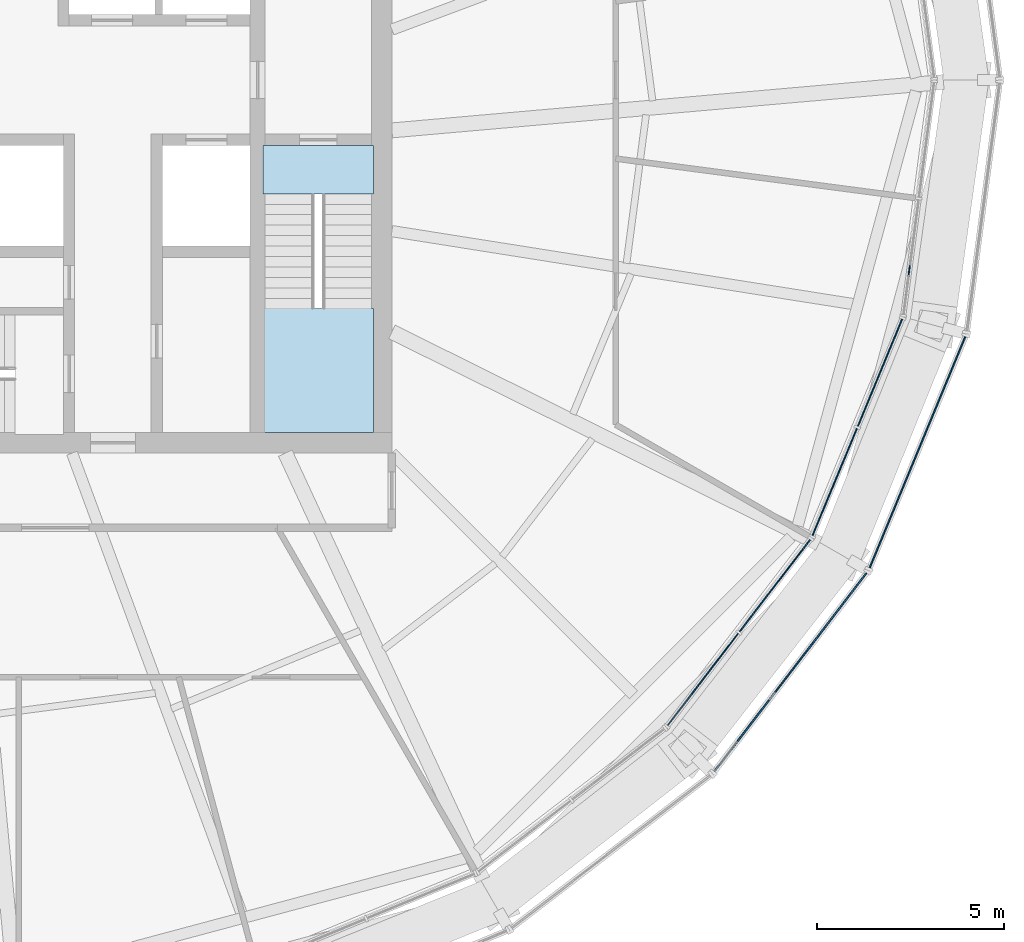
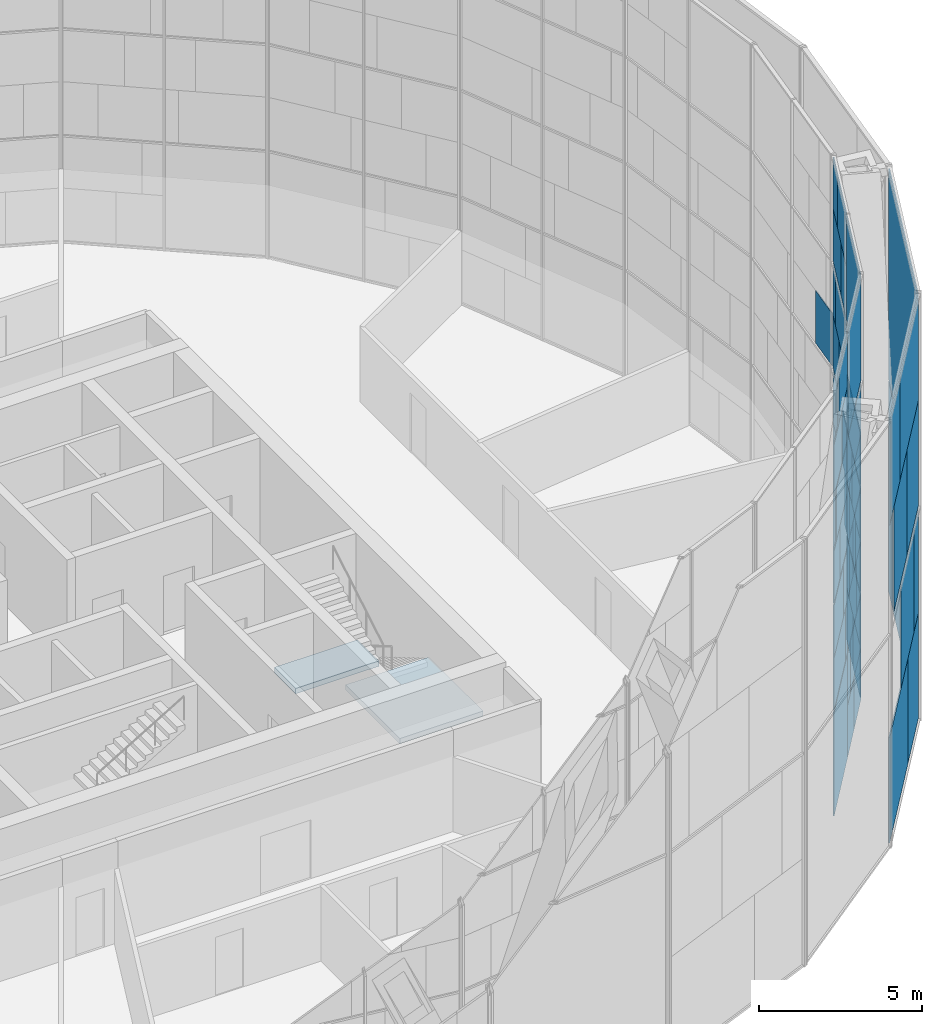
# One storey, part 19 of 29: 59 plates, 2 slabs, 6 elements without a shape of their own.
"""IFC4 building model written with IfcOpenShell, lengths in metres."""

from ifc_helpers import new_model, si_unit, direction, frame, origin, origin_2d, place, context, subcontext, project, spatial, polyline, rectangle, outline, extrude, material, layer, layer_set, type_object, element, aggregate, save


model = new_model("IFC4")

# Units and contexts
model_context = context("Model", 3, precision=1e-05, world=origin(), true_north=direction((0.0, 1.0)))
body_context = subcontext(model_context, "Body", "Model", "MODEL_VIEW")
ifc_project = project(units=[si_unit("LENGTHUNIT", "METRE"), si_unit("AREAUNIT", "SQUARE_METRE"), si_unit("VOLUMEUNIT", "CUBIC_METRE"), si_unit("PLANEANGLEUNIT", "RADIAN"), si_unit("MASSUNIT", "GRAM", prefix="KILO")], contexts=[model_context])

# Site, building, storey
site_placement = place(None, origin())
site = spatial("IfcSite", under=ifc_project, at=site_placement, CompositionType="ELEMENT")
building_placement = place(site_placement, origin())
building = spatial("IfcBuilding", under=site, at=building_placement, Name="Golbaran Civic Tower", CompositionType="ELEMENT")
storey_placement = place(building_placement, frame((0.0, 0.0, 118.0)))
storey = spatial("IfcBuildingStorey", under=building, at=storey_placement, Name="L28", CompositionType="ELEMENT", Elevation=118.0)

# Curtain wall, plates
ifc_material_1 = material(Name="Aluminium and glass", Category="aluminium")
curtain_wall_type_1 = type_object("IfcCurtainWallType", Name="INNER SKIN CURTAIN WALL", PredefinedType="NOTDEFINED", material=ifc_material_1)
curtain_wall_1_placement = place(storey_placement, origin())
curtain_wall_1 = element("IfcCurtainWall", 1, at=curtain_wall_1_placement, inside=storey, type_object=curtain_wall_type_1, Name="Inner skin L28 facet 22 CW1", ObjectType="INNER SKIN", PredefinedType="USERDEFINED")
ifc_material_2 = material(Name="Clear insulating glass", Category="glass")
ifc_layer_1 = layer(ifc_material_2, 0.031982421875, Name="Clear insulating glass")
ifc_layer_set_1 = layer_set([ifc_layer_1], Name="Clear insulating glass")
plate_type_1 = type_object("IfcPlateType", Name="INNER SKIN CURTAIN WALL GLAZED PANEL", PredefinedType="CURTAIN_PANEL", material=ifc_layer_set_1)
plate_1_placement = place(storey_placement, frame((18.332763671875, -16.06494140625, 0.06494140625), z_axis=(0.0, 0.0, 1.0), x_axis=(0.608761428898, 0.793353340376, 0.0)))
plate_1 = element("IfcPlate", 2, at=plate_1_placement, type_object=plate_type_1, Name="CW1 panel 1.1", PredefinedType="CURTAIN_PANEL", context=body_context, shape_type="SweptSolid", body=[
    extrude(rectangle(XDim=3.104736328125, YDim=0.031982421875, at=origin_2d()), origin(), (0.0, 0.0, 1.0), 3.902587890625),
])
plate_2_placement = place(storey_placement, frame((18.21044921875, -16.224365234375, 4.03271484375), z_axis=(0.0, 0.0, 1.0), x_axis=(0.608761428898, 0.793353340376, 0.0)))
plate_2 = element("IfcPlate", 3, at=plate_2_placement, type_object=plate_type_1, Name="CW1 panel 1.2 part 1", PredefinedType="CURTAIN_PANEL", context=body_context, shape_type="SweptSolid", body=[
    extrude(rectangle(XDim=2.702880859375, YDim=0.031982421875, at=origin_2d()), origin(), (0.0, 0.0, 1.0), 1.967529296875),
])
plate_3_placement = place(storey_placement, frame((18.047119140625, -16.4375, 6.0), z_axis=(0.0, 0.0, 1.0), x_axis=(0.608761428898, 0.793353340376, 0.0)))
plate_3 = element("IfcPlate", 4, at=plate_3_placement, type_object=plate_type_1, Name="CW1 panel 1.2 part 3", PredefinedType="CURTAIN_PANEL", context=body_context, shape_type="SweptSolid", body=[
    extrude(rectangle(XDim=2.166015625, YDim=0.031982421875, at=origin_2d()), origin(), (0.0, 0.0, 1.0), 1.967529296875),
])
plate_4_placement = place(storey_placement, frame((17.791015625, -16.77099609375, 8.03271484375), z_axis=(0.0, 0.0, 1.0), x_axis=(0.608761428898, 0.793353340376, 0.0)))
plate_4 = element("IfcPlate", 5, at=plate_4_placement, type_object=plate_type_1, Name="CW1 panel 1.3 part 1", PredefinedType="CURTAIN_PANEL", context=body_context, shape_type="SweptSolid", body=[
    extrude(rectangle(XDim=1.324951171875, YDim=0.031982421875, at=origin_2d()), origin(), (0.0, 0.0, 1.0), 1.967529296875),
])
plate_5_placement = place(storey_placement, frame((18.90283203125, -15.322021484375, 12.032470703125), z_axis=(0.0, 0.0, 1.0), x_axis=(0.608761428898, 0.793353340376, 0.0)))
plate_5 = element("IfcPlate", 6, at=plate_5_placement, type_object=plate_type_1, Name="CW1 panel 1.4 part 2", PredefinedType="CURTAIN_PANEL", context=body_context, shape_type="SweptSolid", body=[
    extrude(rectangle(XDim=1.23193359375, YDim=0.031982421875, at=origin_2d()), origin(), (0.0, 0.0, 1.0), 1.951171875),
])
plate_6_placement = place(storey_placement, frame((18.656982421875, -15.642578125, 13.98388671875), z_axis=(0.0, 0.0, 1.0), x_axis=(0.608761428898, 0.793353340376, 0.0)))
plate_6 = element("IfcPlate", 7, at=plate_6_placement, type_object=plate_type_1, Name="CW1 panel 1.4 part 4", PredefinedType="CURTAIN_PANEL", context=body_context, shape_type="SweptSolid", body=[
    extrude(rectangle(XDim=2.039794921875, YDim=0.031982421875, at=origin_2d()), origin(), (0.0, 0.0, 1.0), 1.951171875),
])
plate_7_placement = place(storey_placement, frame((19.761474609375, -14.203125, 0.06494140625), z_axis=(0.0, 0.0, 1.0), x_axis=(0.608761428898, 0.793353340376, 0.0)))
plate_7 = element("IfcPlate", 8, at=plate_7_placement, type_object=plate_type_1, Name="CW1 panel 2.1 part 1", PredefinedType="CURTAIN_PANEL", context=body_context, shape_type="SweptSolid", body=[
    extrude(rectangle(XDim=1.458984375, YDim=0.031982421875, at=origin_2d()), origin(), (0.0, 0.0, 1.0), 1.951171875),
])
plate_8_placement = place(storey_placement, frame((19.515625, -14.5234375, 2.016357421875), z_axis=(0.0, 0.0, 1.0), x_axis=(0.608761428898, 0.793353340376, 0.0)))
plate_8 = element("IfcPlate", 9, at=plate_8_placement, type_object=plate_type_1, Name="CW1 panel 2.1 part 3", PredefinedType="CURTAIN_PANEL", context=body_context, shape_type="SweptSolid", body=[
    extrude(rectangle(XDim=0.65087890625, YDim=0.031982421875, at=origin_2d()), origin(), (0.0, 0.0, 1.0), 1.951171875),
])
plate_9_placement = place(storey_placement, frame((20.87548828125, -12.751220703125, 4.03271484375), z_axis=(0.0, 0.0, 1.0), x_axis=(0.608761428898, 0.793353340376, 0.0)))
plate_9 = element("IfcPlate", 10, at=plate_9_placement, type_object=plate_type_1, Name="CW1 panel 2.2 part 2", PredefinedType="CURTAIN_PANEL", context=body_context, shape_type="SweptSolid", body=[
    extrude(rectangle(XDim=1.0908203125, YDim=0.031982421875, at=origin_2d()), origin(), (0.0, 0.0, 1.0), 1.967529296875),
])
plate_10_placement = place(storey_placement, frame((20.62744140625, -13.074462890625, 6.0), z_axis=(0.0, 0.0, 1.0), x_axis=(0.608761428898, 0.793353340376, 0.0)))
plate_10 = element("IfcPlate", 11, at=plate_10_placement, type_object=plate_type_1, Name="CW1 panel 2.2 part 4", PredefinedType="CURTAIN_PANEL", context=body_context, shape_type="SweptSolid", body=[
    extrude(rectangle(XDim=1.90576171875, YDim=0.031982421875, at=origin_2d()), origin(), (0.0, 0.0, 1.0), 1.967529296875),
])
plate_11_placement = place(storey_placement, frame((20.38427734375, -13.3916015625, 8.03271484375), z_axis=(0.0, 0.0, 1.0), x_axis=(0.608761428898, 0.793353340376, 0.0)))
plate_11 = element("IfcPlate", 12, at=plate_11_placement, type_object=plate_type_1, Name="CW1 panel 2.3 part 2", PredefinedType="CURTAIN_PANEL", context=body_context, shape_type="SweptSolid", body=[
    extrude(rectangle(XDim=2.704833984375, YDim=0.031982421875, at=origin_2d()), origin(), (0.0, 0.0, 1.0), 1.967529296875),
])
plate_12_placement = place(storey_placement, frame((20.262451171875, -13.55029296875, 10.0), z_axis=(0.0, 0.0, 1.0), x_axis=(0.608761428898, 0.793353340376, 0.0)))
plate_12 = element("IfcPlate", 13, at=plate_12_placement, type_object=plate_type_1, Name="CW1 panel 2.3 part 3", PredefinedType="CURTAIN_PANEL", context=body_context, shape_type="SweptSolid", body=[
    extrude(rectangle(XDim=3.104736328125, YDim=0.031982421875, at=origin_2d()), origin(), (0.0, 0.0, 1.0), 1.967529296875),
])
plate_13_placement = place(storey_placement, frame((20.262451171875, -13.55029296875, 12.0322265625), z_axis=(0.0, 0.0, 1.0), x_axis=(0.608761428898, 0.793353340376, 0.0)))
plate_13 = element("IfcPlate", 14, at=plate_13_placement, type_object=plate_type_1, Name="CW1 panel 2.4", PredefinedType="CURTAIN_PANEL", context=body_context, shape_type="SweptSolid", body=[
    extrude(rectangle(XDim=3.104736328125, YDim=0.031982421875, at=origin_2d()), origin(), (0.0, 0.0, 1.0), 3.902587890625),
])

curtain_wall_2_placement = place(storey_placement, origin())
curtain_wall_2 = element("IfcCurtainWall", 15, at=curtain_wall_2_placement, inside=storey, type_object=curtain_wall_type_1, Name="Inner skin L28 facet 23 CW1", ObjectType="INNER SKIN", PredefinedType="USERDEFINED")
plate_14_placement = place(storey_placement, frame((22.180908203125, -10.012451171875, 0.06494140625), z_axis=(0.0, 0.0, 1.0), x_axis=(0.38268343243, 0.923879532485, 0.0)))
plate_14 = element("IfcPlate", 16, at=plate_14_placement, type_object=plate_type_1, Name="CW1 panel 1.1 part 2", PredefinedType="CURTAIN_PANEL", context=body_context, shape_type="SweptSolid", body=[
    extrude(rectangle(XDim=1.458740234375, YDim=0.031982421875, at=origin_2d()), origin(), (0.0, 0.0, 1.0), 1.951171875),
])
plate_15_placement = place(storey_placement, frame((22.33544921875, -9.6396484375, 2.016357421875), z_axis=(0.0, 0.0, 1.0), x_axis=(0.38268343243, 0.923879532485, 0.0)))
plate_15 = element("IfcPlate", 17, at=plate_15_placement, type_object=plate_type_1, Name="CW1 panel 1.1 part 4", PredefinedType="CURTAIN_PANEL", context=body_context, shape_type="SweptSolid", body=[
    extrude(rectangle(XDim=0.65185546875, YDim=0.031982421875, at=origin_2d()), origin(), (0.0, 0.0, 1.0), 1.951171875),
])
plate_16_placement = place(storey_placement, frame((21.480712890625, -11.702880859375, 4.03271484375), z_axis=(0.0, 0.0, 1.0), x_axis=(0.38268343243, 0.923879532485, 0.0)))
plate_16 = element("IfcPlate", 18, at=plate_16_placement, type_object=plate_type_1, Name="CW1 panel 1.2 part 1", PredefinedType="CURTAIN_PANEL", context=body_context, shape_type="SweptSolid", body=[
    extrude(rectangle(XDim=1.091064453125, YDim=0.031982421875, at=origin_2d()), origin(), (0.0, 0.0, 1.0), 1.967529296875),
])
plate_17_placement = place(storey_placement, frame((21.636474609375, -11.326904296875, 6.0), z_axis=(0.0, 0.0, 1.0), x_axis=(0.38268343243, 0.923879532485, 0.0)))
plate_17 = element("IfcPlate", 19, at=plate_17_placement, type_object=plate_type_1, Name="CW1 panel 1.2 part 3", PredefinedType="CURTAIN_PANEL", context=body_context, shape_type="SweptSolid", body=[
    extrude(rectangle(XDim=1.905029296875, YDim=0.031982421875, at=origin_2d()), origin(), (0.0, 0.0, 1.0), 1.967529296875),
])
plate_18_placement = place(storey_placement, frame((21.7890625, -10.958251953125, 8.03271484375), z_axis=(0.0, 0.0, 1.0), x_axis=(0.38268343243, 0.923879532485, 0.0)))
plate_18 = element("IfcPlate", 20, at=plate_18_placement, type_object=plate_type_1, Name="CW1 panel 1.3 part 1", PredefinedType="CURTAIN_PANEL", context=body_context, shape_type="SweptSolid", body=[
    extrude(rectangle(XDim=2.702880859375, YDim=0.031982421875, at=origin_2d()), origin(), (0.0, 0.0, 1.0), 1.967529296875),
])
plate_19_placement = place(storey_placement, frame((21.865966796875, -10.772705078125, 10.0), z_axis=(0.0, 0.0, 1.0), x_axis=(0.38268343243, 0.923879532485, 0.0)))
plate_19 = element("IfcPlate", 21, at=plate_19_placement, type_object=plate_type_1, Name="CW1 panel 1.3 part 3", PredefinedType="CURTAIN_PANEL", context=body_context, shape_type="SweptSolid", body=[
    extrude(rectangle(XDim=3.104736328125, YDim=0.031982421875, at=origin_2d()), origin(), (0.0, 0.0, 1.0), 1.967529296875),
])
plate_20_placement = place(storey_placement, frame((21.865966796875, -10.772705078125, 12.0322265625), z_axis=(0.0, 0.0, 1.0), x_axis=(0.38268343243, 0.923879532485, 0.0)))
plate_20 = element("IfcPlate", 22, at=plate_20_placement, type_object=plate_type_1, Name="CW1 panel 1.4", PredefinedType="CURTAIN_PANEL", context=body_context, shape_type="SweptSolid", body=[
    extrude(rectangle(XDim=3.104736328125, YDim=0.031982421875, at=origin_2d()), origin(), (0.0, 0.0, 1.0), 3.902587890625),
])
plate_21_placement = place(storey_placement, frame((23.0791015625, -7.84423828125, 0.06494140625), z_axis=(0.0, 0.0, 1.0), x_axis=(0.38268343243, 0.923879532485, 0.0)))
plate_21 = element("IfcPlate", 23, at=plate_21_placement, type_object=plate_type_1, Name="CW1 panel 2.1", PredefinedType="CURTAIN_PANEL", context=body_context, shape_type="SweptSolid", body=[
    extrude(rectangle(XDim=3.104736328125, YDim=0.031982421875, at=origin_2d()), origin(), (0.0, 0.0, 1.0), 3.902587890625),
])
plate_22_placement = place(storey_placement, frame((23.15576171875, -7.658935546875, 4.03271484375), z_axis=(0.0, 0.0, 1.0), x_axis=(0.38268343243, 0.923879532485, 0.0)))
plate_22 = element("IfcPlate", 24, at=plate_22_placement, type_object=plate_type_1, Name="CW1 panel 2.2 part 2", PredefinedType="CURTAIN_PANEL", context=body_context, shape_type="SweptSolid", body=[
    extrude(rectangle(XDim=2.703857421875, YDim=0.031982421875, at=origin_2d()), origin(), (0.0, 0.0, 1.0), 1.967529296875),
])
plate_23_placement = place(storey_placement, frame((23.2587890625, -7.410400390625, 6.0), z_axis=(0.0, 0.0, 1.0), x_axis=(0.38268343243, 0.923879532485, 0.0)))
plate_23 = element("IfcPlate", 25, at=plate_23_placement, type_object=plate_type_1, Name="CW1 panel 2.2 part 4", PredefinedType="CURTAIN_PANEL", context=body_context, shape_type="SweptSolid", body=[
    extrude(rectangle(XDim=2.165771484375, YDim=0.031982421875, at=origin_2d()), origin(), (0.0, 0.0, 1.0), 1.967529296875),
])
plate_24_placement = place(storey_placement, frame((23.419677734375, -7.02197265625, 8.03271484375), z_axis=(0.0, 0.0, 1.0), x_axis=(0.38268343243, 0.923879532485, 0.0)))
plate_24 = element("IfcPlate", 26, at=plate_24_placement, type_object=plate_type_1, Name="CW1 panel 2.3 part 2", PredefinedType="CURTAIN_PANEL", context=body_context, shape_type="SweptSolid", body=[
    extrude(rectangle(XDim=1.324951171875, YDim=0.031982421875, at=origin_2d()), origin(), (0.0, 0.0, 1.0), 1.967529296875),
])
plate_25_placement = place(storey_placement, frame((23.57568359375, -6.6455078125, 10.0), z_axis=(0.0, 0.0, 1.0), x_axis=(0.38268343243, 0.923879532485, 0.0)))
plate_25 = element("IfcPlate", 27, at=plate_25_placement, type_object=plate_type_1, Name="CW1 panel 2.3 part 4", PredefinedType="CURTAIN_PANEL", context=body_context, shape_type="SweptSolid", body=[
    extrude(rectangle(XDim=0.509765625, YDim=0.031982421875, at=origin_2d()), origin(), (0.0, 0.0, 1.0), 1.967529296875),
])
plate_26_placement = place(storey_placement, frame((22.720703125, -8.709228515625, 12.032470703125), z_axis=(0.0, 0.0, 1.0), x_axis=(0.38268343243, 0.923879532485, 0.0)))
plate_26 = element("IfcPlate", 28, at=plate_26_placement, type_object=plate_type_1, Name="CW1 panel 2.4 part 1", PredefinedType="CURTAIN_PANEL", context=body_context, shape_type="SweptSolid", body=[
    extrude(rectangle(XDim=1.23193359375, YDim=0.031982421875, at=origin_2d()), origin(), (0.0, 0.0, 1.0), 1.951171875),
])
plate_27_placement = place(storey_placement, frame((22.875244140625, -8.3359375, 13.98388671875), z_axis=(0.0, 0.0, 1.0), x_axis=(0.38268343243, 0.923879532485, 0.0)))
plate_27 = element("IfcPlate", 29, at=plate_27_placement, type_object=plate_type_1, Name="CW1 panel 2.4 part 3", PredefinedType="CURTAIN_PANEL", context=body_context, shape_type="SweptSolid", body=[
    extrude(rectangle(XDim=2.0400390625, YDim=0.031982421875, at=origin_2d()), origin(), (0.0, 0.0, 1.0), 1.951171875),
])

# Curtain wall, plate
curtain_wall_3_placement = place(storey_placement, origin())
curtain_wall_3 = element("IfcCurtainWall", 30, at=curtain_wall_3_placement, inside=storey, type_object=curtain_wall_type_1, Name="Inner skin L28 facet 24 CW1", ObjectType="INNER SKIN", PredefinedType="USERDEFINED")
plate_28_placement = place(storey_placement, frame((23.79296875, -5.628662109375, 8.03271484375), z_axis=(0.0, 0.0, 1.0), x_axis=(0.130526192237, 0.991444861372, 0.0)))
plate_28 = element("IfcPlate", 31, at=plate_28_placement, type_object=plate_type_1, Name="CW1 panel 1.3 part 1", PredefinedType="CURTAIN_PANEL", context=body_context, shape_type="SweptSolid", body=[
    extrude(rectangle(XDim=1.324951171875, YDim=0.031982421875, at=origin_2d()), origin(), (0.0, 0.0, 1.0), 1.967529296875),
])
aggregate(curtain_wall_3, [plate_28])

# Plate
ifc_material_3 = material(Name="Aluminium faced opaque infill panel", Category="aluminium")
ifc_layer_2 = layer(ifc_material_3, 0.031982421875, Name="Aluminium faced opaque infill panel")
ifc_layer_set_2 = layer_set([ifc_layer_2], Name="Aluminium faced opaque infill panel")
plate_type_2 = type_object("IfcPlateType", Name="INNER SKIN CURTAIN WALL OPAQUE INFILL PANEL", PredefinedType="CURTAIN_PANEL", material=ifc_layer_set_2)
plate_29_placement = place(storey_placement, frame((19.155517578125, -14.99267578125, 4.03271484375), z_axis=(0.0, 0.0, 1.0), x_axis=(0.608761428898, 0.793353340376, 0.0)))
plate_29 = element("IfcPlate", 32, at=plate_29_placement, type_object=plate_type_2, Name="CW1 infill panel 1.2 part 2", PredefinedType="CURTAIN_PANEL", context=body_context, shape_type="SweptSolid", body=[
    extrude(rectangle(XDim=0.40185546875, YDim=0.031982421875, at=origin_2d()), origin(), (0.0, 0.0, 1.0), 1.967529296875),
])

plate_30_placement = place(storey_placement, frame((18.9921875, -15.205810546875, 6.0), z_axis=(0.0, 0.0, 1.0), x_axis=(0.608761428898, 0.793353340376, 0.0)))
plate_30 = element("IfcPlate", 33, at=plate_30_placement, type_object=plate_type_2, Name="CW1 infill panel 1.2 part 4", PredefinedType="CURTAIN_PANEL", context=body_context, shape_type="SweptSolid", body=[
    extrude(rectangle(XDim=0.938720703125, YDim=0.031982421875, at=origin_2d()), origin(), (0.0, 0.0, 1.0), 1.967529296875),
])

plate_31_placement = place(storey_placement, frame((18.736083984375, -15.539306640625, 8.03271484375), z_axis=(0.0, 0.0, 1.0), x_axis=(0.608761428898, 0.793353340376, 0.0)))
plate_31 = element("IfcPlate", 34, at=plate_31_placement, type_object=plate_type_2, Name="CW1 infill panel 1.3 part 2", PredefinedType="CURTAIN_PANEL", context=body_context, shape_type="SweptSolid", body=[
    extrude(rectangle(XDim=1.77978515625, YDim=0.031982421875, at=origin_2d()), origin(), (0.0, 0.0, 1.0), 1.967529296875),
])

plate_32_placement = place(storey_placement, frame((18.488037109375, -15.86279296875, 10.0), z_axis=(0.0, 0.0, 1.0), x_axis=(0.608761428898, 0.793353340376, 0.0)))
plate_32 = element("IfcPlate", 35, at=plate_32_placement, type_object=plate_type_2, Name="CW1 infill panel 1.3 part 4", PredefinedType="CURTAIN_PANEL", context=body_context, shape_type="SweptSolid", body=[
    extrude(rectangle(XDim=2.5947265625, YDim=0.031982421875, at=origin_2d()), origin(), (0.0, 0.0, 1.0), 1.967529296875),
])

plate_33_placement = place(storey_placement, frame((17.957763671875, -16.5537109375, 12.032470703125), z_axis=(0.0, 0.0, 1.0), x_axis=(0.608761428898, 0.793353340376, 0.0)))
plate_33 = element("IfcPlate", 36, at=plate_33_placement, type_object=plate_type_2, Name="CW1 infill panel 1.4 part 1", PredefinedType="CURTAIN_PANEL", context=body_context, shape_type="SweptSolid", body=[
    extrude(rectangle(XDim=1.873046875, YDim=0.031982421875, at=origin_2d()), origin(), (0.0, 0.0, 1.0), 1.951171875),
])

plate_34_placement = place(storey_placement, frame((20.70654296875, -12.971435546875, 0.06494140625), z_axis=(0.0, 0.0, 1.0), x_axis=(0.608761428898, 0.793353340376, 0.0)))
plate_34 = element("IfcPlate", 37, at=plate_34_placement, type_object=plate_type_2, Name="CW1 infill panel 2.1 part 2", PredefinedType="CURTAIN_PANEL", context=body_context, shape_type="SweptSolid", body=[
    extrude(rectangle(XDim=1.645751953125, YDim=0.031982421875, at=origin_2d()), origin(), (0.0, 0.0, 1.0), 1.951171875),
])

plate_35_placement = place(storey_placement, frame((20.460693359375, -13.2919921875, 2.016357421875), z_axis=(0.0, 0.0, 1.0), x_axis=(0.608761428898, 0.793353340376, 0.0)))
plate_35 = element("IfcPlate", 38, at=plate_35_placement, type_object=plate_type_2, Name="CW1 infill panel 2.1 part 4", PredefinedType="CURTAIN_PANEL", context=body_context, shape_type="SweptSolid", body=[
    extrude(rectangle(XDim=2.453857421875, YDim=0.031982421875, at=origin_2d()), origin(), (0.0, 0.0, 1.0), 1.951171875),
])

plate_36_placement = place(storey_placement, frame((19.930419921875, -13.98291015625, 4.03271484375), z_axis=(0.0, 0.0, 1.0), x_axis=(0.608761428898, 0.793353340376, 0.0)))
plate_36 = element("IfcPlate", 39, at=plate_36_placement, type_object=plate_type_2, Name="CW1 infill panel 2.2 part 1", PredefinedType="CURTAIN_PANEL", context=body_context, shape_type="SweptSolid", body=[
    extrude(rectangle(XDim=2.013916015625, YDim=0.031982421875, at=origin_2d()), origin(), (0.0, 0.0, 1.0), 1.967529296875),
])

plate_37_placement = place(storey_placement, frame((19.682373046875, -14.30615234375, 6.0), z_axis=(0.0, 0.0, 1.0), x_axis=(0.608761428898, 0.793353340376, 0.0)))
plate_37 = element("IfcPlate", 40, at=plate_37_placement, type_object=plate_type_2, Name="CW1 infill panel 2.2 part 3", PredefinedType="CURTAIN_PANEL", context=body_context, shape_type="SweptSolid", body=[
    extrude(rectangle(XDim=1.198974609375, YDim=0.031982421875, at=origin_2d()), origin(), (0.0, 0.0, 1.0), 1.967529296875),
])

plate_38_placement = place(storey_placement, frame((19.439208984375, -14.623046875, 8.03271484375), z_axis=(0.0, 0.0, 1.0), x_axis=(0.608761428898, 0.793353340376, 0.0)))
plate_38 = element("IfcPlate", 41, at=plate_38_placement, type_object=plate_type_2, Name="CW1 infill panel 2.3 part 1", PredefinedType="CURTAIN_PANEL", context=body_context, shape_type="SweptSolid", body=[
    extrude(rectangle(XDim=0.39990234375, YDim=0.031982421875, at=origin_2d()), origin(), (0.0, 0.0, 1.0), 1.967529296875),
])

aggregate(curtain_wall_1, [plate_1, plate_2, plate_29, plate_3, plate_30, plate_4, plate_31, plate_32, plate_33, plate_5, plate_6, plate_7, plate_34, plate_8, plate_35, plate_36, plate_9, plate_37, plate_10, plate_38, plate_11, plate_12, plate_13])

plate_39_placement = place(storey_placement, frame((21.5869140625, -11.446533203125, 0.06494140625), z_axis=(0.0, 0.0, 1.0), x_axis=(0.38268343243, 0.923879532485, 0.0)))
plate_39 = element("IfcPlate", 42, at=plate_39_placement, type_object=plate_type_2, Name="CW1 infill panel 1.1 part 1", PredefinedType="CURTAIN_PANEL", context=body_context, shape_type="SweptSolid", body=[
    extrude(rectangle(XDim=1.64599609375, YDim=0.031982421875, at=origin_2d()), origin(), (0.0, 0.0, 1.0), 1.951171875),
])

plate_40_placement = place(storey_placement, frame((21.7412109375, -11.07373046875, 2.016357421875), z_axis=(0.0, 0.0, 1.0), x_axis=(0.38268343243, 0.923879532485, 0.0)))
plate_40 = element("IfcPlate", 43, at=plate_40_placement, type_object=plate_type_2, Name="CW1 infill panel 1.1 part 3", PredefinedType="CURTAIN_PANEL", context=body_context, shape_type="SweptSolid", body=[
    extrude(rectangle(XDim=2.452880859375, YDim=0.031982421875, at=origin_2d()), origin(), (0.0, 0.0, 1.0), 1.951171875),
])

plate_41_placement = place(storey_placement, frame((22.07470703125, -10.268798828125, 4.03271484375), z_axis=(0.0, 0.0, 1.0), x_axis=(0.38268343243, 0.923879532485, 0.0)))
plate_41 = element("IfcPlate", 44, at=plate_41_placement, type_object=plate_type_2, Name="CW1 infill panel 1.2 part 2", PredefinedType="CURTAIN_PANEL", context=body_context, shape_type="SweptSolid", body=[
    extrude(rectangle(XDim=2.013916015625, YDim=0.031982421875, at=origin_2d()), origin(), (0.0, 0.0, 1.0), 1.967529296875),
])

plate_42_placement = place(storey_placement, frame((22.23046875, -9.892822265625, 6.0), z_axis=(0.0, 0.0, 1.0), x_axis=(0.38268343243, 0.923879532485, 0.0)))
plate_42 = element("IfcPlate", 45, at=plate_42_placement, type_object=plate_type_2, Name="CW1 infill panel 1.2 part 4", PredefinedType="CURTAIN_PANEL", context=body_context, shape_type="SweptSolid", body=[
    extrude(rectangle(XDim=1.199951171875, YDim=0.031982421875, at=origin_2d()), origin(), (0.0, 0.0, 1.0), 1.967529296875),
])

plate_43_placement = place(storey_placement, frame((22.38330078125, -9.524169921875, 8.03271484375), z_axis=(0.0, 0.0, 1.0), x_axis=(0.38268343243, 0.923879532485, 0.0)))
plate_43 = element("IfcPlate", 46, at=plate_43_placement, type_object=plate_type_2, Name="CW1 infill panel 1.3 part 2", PredefinedType="CURTAIN_PANEL", context=body_context, shape_type="SweptSolid", body=[
    extrude(rectangle(XDim=0.40185546875, YDim=0.031982421875, at=origin_2d()), origin(), (0.0, 0.0, 1.0), 1.967529296875),
])

plate_44_placement = place(storey_placement, frame((22.561767578125, -9.09326171875, 4.03271484375), z_axis=(0.0, 0.0, 1.0), x_axis=(0.38268343243, 0.923879532485, 0.0)))
plate_44 = element("IfcPlate", 47, at=plate_44_placement, type_object=plate_type_2, Name="CW1 infill panel 2.2 part 1", PredefinedType="CURTAIN_PANEL", context=body_context, shape_type="SweptSolid", body=[
    extrude(rectangle(XDim=0.40087890625, YDim=0.031982421875, at=origin_2d()), origin(), (0.0, 0.0, 1.0), 1.967529296875),
])

plate_45_placement = place(storey_placement, frame((22.66455078125, -8.8447265625, 6.0), z_axis=(0.0, 0.0, 1.0), x_axis=(0.38268343243, 0.923879532485, 0.0)))
plate_45 = element("IfcPlate", 48, at=plate_45_placement, type_object=plate_type_2, Name="CW1 infill panel 2.2 part 3", PredefinedType="CURTAIN_PANEL", context=body_context, shape_type="SweptSolid", body=[
    extrude(rectangle(XDim=0.93896484375, YDim=0.031982421875, at=origin_2d()), origin(), (0.0, 0.0, 1.0), 1.967529296875),
])

plate_46_placement = place(storey_placement, frame((22.82568359375, -8.4560546875, 8.03271484375), z_axis=(0.0, 0.0, 1.0), x_axis=(0.38268343243, 0.923879532485, 0.0)))
plate_46 = element("IfcPlate", 49, at=plate_46_placement, type_object=plate_type_2, Name="CW1 infill panel 2.3 part 1", PredefinedType="CURTAIN_PANEL", context=body_context, shape_type="SweptSolid", body=[
    extrude(rectangle(XDim=1.780029296875, YDim=0.031982421875, at=origin_2d()), origin(), (0.0, 0.0, 1.0), 1.967529296875),
])

plate_47_placement = place(storey_placement, frame((22.9814453125, -8.07958984375, 10.0), z_axis=(0.0, 0.0, 1.0), x_axis=(0.38268343243, 0.923879532485, 0.0)))
plate_47 = element("IfcPlate", 50, at=plate_47_placement, type_object=plate_type_2, Name="CW1 infill panel 2.3 part 3", PredefinedType="CURTAIN_PANEL", context=body_context, shape_type="SweptSolid", body=[
    extrude(rectangle(XDim=2.594970703125, YDim=0.031982421875, at=origin_2d()), origin(), (0.0, 0.0, 1.0), 1.967529296875),
])

plate_48_placement = place(storey_placement, frame((23.314697265625, -7.275146484375, 12.032470703125), z_axis=(0.0, 0.0, 1.0), x_axis=(0.38268343243, 0.923879532485, 0.0)))
plate_48 = element("IfcPlate", 51, at=plate_48_placement, type_object=plate_type_2, Name="CW1 infill panel 2.4 part 2", PredefinedType="CURTAIN_PANEL", context=body_context, shape_type="SweptSolid", body=[
    extrude(rectangle(XDim=1.872802734375, YDim=0.031982421875, at=origin_2d()), origin(), (0.0, 0.0, 1.0), 1.951171875),
])

plate_49_placement = place(storey_placement, frame((23.469482421875, -6.90185546875, 13.98388671875), z_axis=(0.0, 0.0, 1.0), x_axis=(0.38268343243, 0.923879532485, 0.0)))
plate_49 = element("IfcPlate", 52, at=plate_49_placement, type_object=plate_type_2, Name="CW1 infill panel 2.4 part 4", PredefinedType="CURTAIN_PANEL", context=body_context, shape_type="SweptSolid", body=[
    extrude(rectangle(XDim=1.06494140625, YDim=0.031982421875, at=origin_2d()), origin(), (0.0, 0.0, 1.0), 1.951171875),
])

aggregate(curtain_wall_2, [plate_39, plate_14, plate_40, plate_15, plate_16, plate_41, plate_17, plate_42, plate_18, plate_43, plate_19, plate_20, plate_21, plate_44, plate_22, plate_45, plate_23, plate_46, plate_24, plate_47, plate_25, plate_26, plate_48, plate_27, plate_49])

# Curtain wall, plates
curtain_wall_type_2 = type_object("IfcCurtainWallType", Name="OUTER SKIN TERRACOTTA SCREEN", PredefinedType="NOTDEFINED", material=ifc_material_1)
curtain_wall_4_placement = place(storey_placement, origin())
curtain_wall_4 = element("IfcCurtainWall", 53, at=curtain_wall_4_placement, inside=storey, type_object=curtain_wall_type_2, Name="Outer skin L28 facet 22 CW3", ObjectType="OUTER SKIN", PredefinedType="USERDEFINED")
ifc_material_4 = material(Name="Clear laminated glass", Category="glass")
ifc_layer_3 = layer(ifc_material_4, 0.0400390625, Name="Clear laminated glass")
ifc_layer_set_3 = layer_set([ifc_layer_3], Name="Clear laminated glass")
plate_type_3 = type_object("IfcPlateType", Name="OUTER SKIN CLEAR GLASS PANEL", PredefinedType="CURTAIN_PANEL", material=ifc_layer_set_3)
plate_50_placement = place(storey_placement, frame((19.951904296875, -16.819580078125, -0.6298828125), z_axis=(0.0, 0.0, 1.0), x_axis=(0.608761428995, 0.793353340302, 0.0)))
plate_50 = element("IfcPlate", 54, at=plate_50_placement, type_object=plate_type_3, Name="CW3 panel 1.1 part 1", PredefinedType="CURTAIN_PANEL", context=body_context, shape_type="SweptSolid", body=[
    extrude(rectangle(XDim=4.30810546875, YDim=0.0400390625, at=origin_2d()), origin(), (0.0, 0.0, 1.0), 3.93994140625),
])
plate_51_placement = place(storey_placement, frame((22.415283203125, -13.609375, 3.31005859375), z_axis=(0.0, 0.0, 1.0), x_axis=(0.608761428995, 0.793353340302, 0.0)))
plate_51 = element("IfcPlate", 55, at=plate_51_placement, type_object=plate_type_3, Name="CW3 panel 1.1 part 5", PredefinedType="CURTAIN_PANEL", context=body_context, shape_type="SweptSolid", body=[
    extrude(rectangle(XDim=1.0068359375, YDim=0.0400390625, at=origin_2d()), origin(), (0.0, 0.0, 1.0), 3.93994140625),
])
plate_52_placement = place(storey_placement, frame((21.90869140625, -14.26953125, 7.330078125), z_axis=(0.0, 0.0, 1.0), x_axis=(0.608761428995, 0.793353340302, 0.0)))
plate_52 = element("IfcPlate", 56, at=plate_52_placement, type_object=plate_type_3, Name="CW3 panel 1.2 part 3", PredefinedType="CURTAIN_PANEL", context=body_context, shape_type="SweptSolid", body=[
    extrude(rectangle(XDim=2.6708984375, YDim=0.0400390625, at=origin_2d()), origin(), (0.0, 0.0, 1.0), 3.93994140625),
])
plate_53_placement = place(storey_placement, frame((21.41259765625, -14.916015625, 11.27001953125), z_axis=(0.0, 0.0, 1.0), x_axis=(0.608761428995, 0.793353340302, 0.0)))
plate_53 = element("IfcPlate", 57, at=plate_53_placement, type_object=plate_type_3, Name="CW3 panel 1.2 part 5", PredefinedType="CURTAIN_PANEL", context=body_context, shape_type="SweptSolid", body=[
    extrude(rectangle(XDim=4.30078125, YDim=0.0400390625, at=origin_2d()), origin(), (0.0, 0.0, 1.0), 3.93994140625),
])
ifc_material_5 = material(Name="Terracotta baguette screen", Category="masonry")
ifc_layer_4 = layer(ifc_material_5, 0.0400390625, Name="Terracotta baguette screen")
ifc_layer_set_4 = layer_set([ifc_layer_4], Name="Terracotta baguette screen")
plate_type_4 = type_object("IfcPlateType", Name="OUTER SKIN TERRACOTTA INFILL PANEL", PredefinedType="CURTAIN_PANEL", material=ifc_layer_set_4)
plate_54_placement = place(storey_placement, frame((21.992431640625, -14.160400390625, -0.6298828125), z_axis=(0.0, 0.0, 1.0), x_axis=(0.608761428995, 0.793353340302, 0.0)))
plate_54 = element("IfcPlate", 58, at=plate_54_placement, type_object=plate_type_4, Name="CW3 infill panel 1.1 part 2", PredefinedType="CURTAIN_PANEL", context=body_context, shape_type="SweptSolid", body=[
    extrude(rectangle(XDim=2.395751953125, YDim=0.0400390625, at=origin_2d()), origin(), (0.0, 0.0, 1.0), 3.93994140625),
])
plate_55_placement = place(storey_placement, frame((21.189453125, -15.206787109375, 3.31005859375), z_axis=(0.0, 0.0, 1.0), x_axis=(0.608761428995, 0.793353340302, 0.0)))
plate_55 = element("IfcPlate", 59, at=plate_55_placement, type_object=plate_type_4, Name="CW3 infill panel 1.1 part 4", PredefinedType="CURTAIN_PANEL", context=body_context, shape_type="SweptSolid", body=[
    extrude(rectangle(XDim=3.02001953125, YDim=0.0400390625, at=origin_2d()), origin(), (0.0, 0.0, 1.0), 3.93994140625),
])
plate_56_placement = place(storey_placement, frame((20.1767578125, -16.5263671875, 7.330078125), z_axis=(0.0, 0.0, 1.0), x_axis=(0.608761428995, 0.793353340302, 0.0)))
plate_56 = element("IfcPlate", 60, at=plate_56_placement, type_object=plate_type_4, Name="CW3 infill panel 1.2 part 2", PredefinedType="CURTAIN_PANEL", context=body_context, shape_type="SweptSolid", body=[
    extrude(rectangle(XDim=3.01904296875, YDim=0.0400390625, at=origin_2d()), origin(), (0.0, 0.0, 1.0), 3.93994140625),
])
plate_57_placement = place(storey_placement, frame((19.3720703125, -17.5751953125, 11.27001953125), z_axis=(0.0, 0.0, 1.0), x_axis=(0.608761428995, 0.793353340302, 0.0)))
plate_57 = element("IfcPlate", 61, at=plate_57_placement, type_object=plate_type_4, Name="CW3 infill panel 1.2 part 4", PredefinedType="CURTAIN_PANEL", context=body_context, shape_type="SweptSolid", body=[
    extrude(rectangle(XDim=2.403076171875, YDim=0.0400390625, at=origin_2d()), origin(), (0.0, 0.0, 1.0), 3.93994140625),
])
aggregate(curtain_wall_4, [plate_50, plate_54, plate_55, plate_51, plate_56, plate_52, plate_57, plate_53])

curtain_wall_5_placement = place(storey_placement, origin())
curtain_wall_5 = element("IfcCurtainWall", 62, at=curtain_wall_5_placement, inside=storey, type_object=curtain_wall_type_2, Name="Outer skin L28 facet 23 CW3", ObjectType="OUTER SKIN", PredefinedType="USERDEFINED")
ifc_layer_5 = layer(ifc_material_5, 0.0400390625, Name="Terracotta baguette screen")
ifc_layer_set_5 = layer_set([ifc_layer_5], Name="Terracotta baguette screen")
plate_type_5 = type_object("IfcPlateType", Name="OUTER SKIN TERRACOTTA SCREEN PANEL", PredefinedType="CURTAIN_PANEL", material=ifc_layer_set_5)
plate_58_placement = place(storey_placement, frame((24.083740234375, -9.975830078125, -0.6298828125), z_axis=(0.0, 0.0, 1.0), x_axis=(0.382683432381, 0.923879532505, 0.0)))
plate_58 = element("IfcPlate", 63, at=plate_58_placement, type_object=plate_type_5, Name="CW3 terracotta screen panel 1.1", PredefinedType="CURTAIN_PANEL", context=body_context, shape_type="SweptSolid", body=[
    extrude(rectangle(XDim=6.703857421875, YDim=0.0400390625, at=origin_2d()), origin(), (0.0, 0.0, 1.0), 7.8798828125),
])
plate_59_placement = place(storey_placement, frame((24.083740234375, -9.975830078125, 7.330078125), z_axis=(0.0, 0.0, 1.0), x_axis=(0.382683432381, 0.923879532505, 0.0)))
plate_59 = element("IfcPlate", 64, at=plate_59_placement, type_object=plate_type_5, Name="CW3 terracotta screen panel 1.2", PredefinedType="CURTAIN_PANEL", context=body_context, shape_type="SweptSolid", body=[
    extrude(rectangle(XDim=6.703857421875, YDim=0.0400390625, at=origin_2d()), origin(), (0.0, 0.0, 1.0), 7.8798828125),
])
aggregate(curtain_wall_5, [plate_58, plate_59])

# Stair, slab
ifc_material_6 = material(Name="Concrete C35/45", Category="concrete")
stair_type = type_object("IfcStairType", Name="EXIT STAIR 2850 x 7700, 4000 RISE", PredefinedType="HALF_TURN_STAIR", material=ifc_material_6)
stair_placement = place(storey_placement, origin())
stair = element("IfcStair", 65, at=stair_placement, inside=storey, type_object=stair_type, Name="Stair S2 L28", PredefinedType="HALF_TURN_STAIR")
ifc_layer_6 = layer(ifc_material_6, 0.199951171875, Name="Concrete C35/45")
ifc_layer_set_6 = layer_set([ifc_layer_6], Name="Concrete C35/45")
slab_type = type_object("IfcSlabType", Name="STAIR LANDING 200", PredefinedType="LANDING", material=ifc_layer_set_6)
slab_1_placement = place(storey_placement, frame((0.0, 0.0, 1.800048828125)))
slab_1 = element("IfcSlab", 66, at=slab_1_placement, type_object=slab_type, Name="ST28577-40 landing 1", PredefinedType="LANDING", context=body_context, shape_type="SweptSolid", body=[
    extrude(outline(polyline([(9.5, -6.125), (9.5, -9.449951171875), (6.550048828125, -9.449951171875), (6.550048828125, -6.125), (9.5, -6.125)])), origin(), (0.0, 0.0, 1.0), 0.199951171875),
])
aggregate(stair, [slab_1])

# Slab
slab_2_placement = place(storey_placement, frame((0.0, 0.0, -0.199951171875)))
element("IfcSlab", 67, at=slab_2_placement, inside=storey, type_object=slab_type, Name="Stair S2 floor landing L28", PredefinedType="LANDING", context=body_context, shape_type="SweptSolid", body=[
    extrude(outline(polyline([(9.5, -1.75), (9.5, -3.054931640625), (6.550048828125, -3.054931640625), (6.550048828125, -1.75), (9.5, -1.75)])), origin(), (0.0, 0.0, 1.0), 0.199951171875),
])

save(model, "model.ifc")
